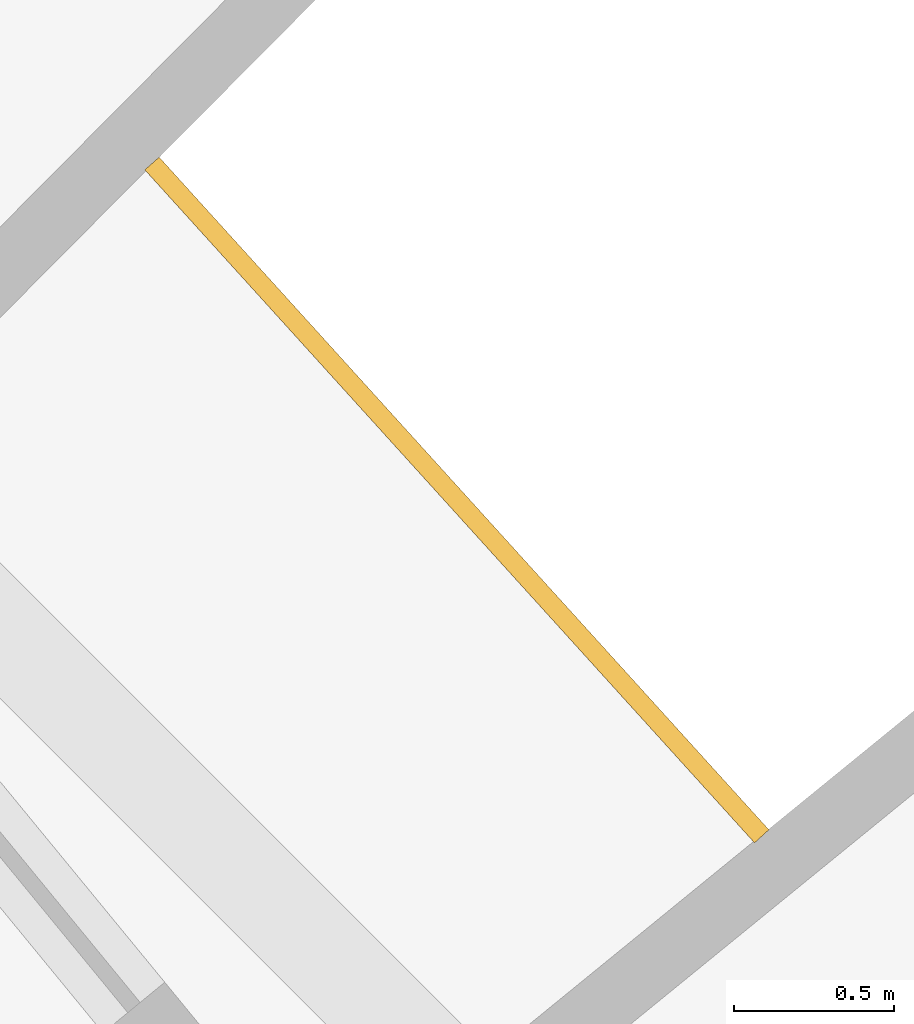
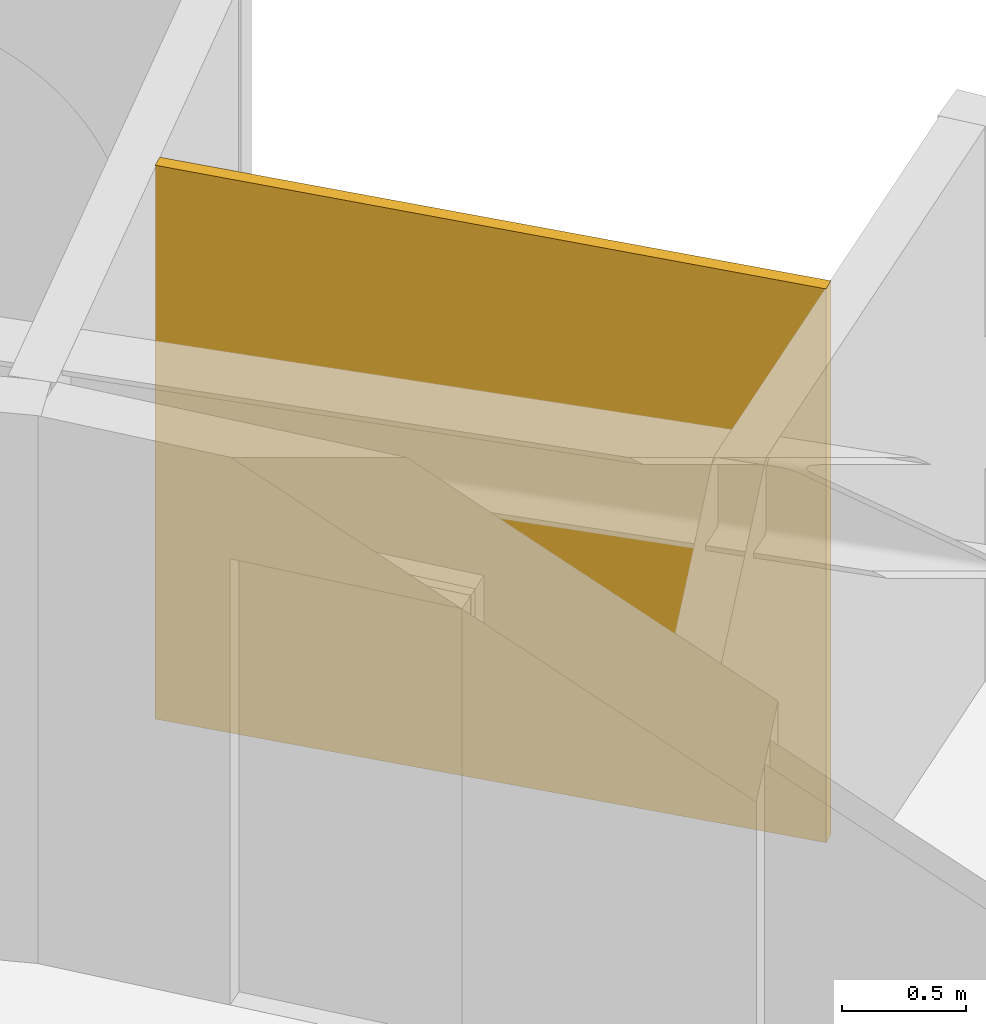
# One storey, part 27 of 27: 1 railing.
"""IFC4 building model written with IfcOpenShell, lengths in metres."""

from ifc_helpers import new_model, si_unit, direction, frame, origin, place, context, subcontext, project, spatial, polyline, outline, extrude, material, layer, layer_set, type_object, element, save


model = new_model("IFC4")

# Units and contexts
model_context = context("Model", 3, precision=1e-05, world=origin(), true_north=direction((0.0, 1.0)))
body_context = subcontext(model_context, "Body", "Model", "MODEL_VIEW")
ifc_project = project(units=[si_unit("LENGTHUNIT", "METRE"), si_unit("AREAUNIT", "SQUARE_METRE"), si_unit("VOLUMEUNIT", "CUBIC_METRE"), si_unit("PLANEANGLEUNIT", "RADIAN"), si_unit("MASSUNIT", "GRAM", prefix="KILO")], contexts=[model_context])

# Site, building, storey
site_placement = place(None, origin())
site = spatial("IfcSite", under=ifc_project, at=site_placement, CompositionType="ELEMENT")
building_placement = place(site_placement, origin())
building = spatial("IfcBuilding", under=site, at=building_placement, Name="Maasbend Ring Residences", CompositionType="ELEMENT")
storey_placement = place(building_placement, frame((0.0, 0.0, 111.64990234375)))
storey = spatial("IfcBuildingStorey", under=building, at=storey_placement, Name="L31", CompositionType="ELEMENT", Elevation=111.64990234375)

# Railing
ifc_material = material(Name="Pale anodised perforated aluminium", Category="aluminium")
ifc_layer = layer(ifc_material, 0.06005859375)
ifc_layer_set = layer_set([ifc_layer], Name="SCREEN-P")
railing_type = type_object("IfcRailingType", Name="SCREEN-P", PredefinedType="GUARDRAIL", material=ifc_layer_set)
railing_placement = place(storey_placement, frame((0.0, 0.0, -0.02978515625)))
element("IfcRailing", 1, at=railing_placement, inside=storey, type_object=railing_type, Name="Perforated screen guard 1", PredefinedType="GUARDRAIL", context=body_context, shape_type="SweptSolid", body=[
    extrude(outline(polyline([(22.4169921875, 18.39697265625), (20.506103515625, 20.506103515625), (20.551025390625, 20.5458984375), (22.4619140625, 18.43798828125), (22.4169921875, 18.39697265625)])), origin(), (0.0, 0.0, 1.0), 2.72998046875),
])

save(model, "model.ifc")
